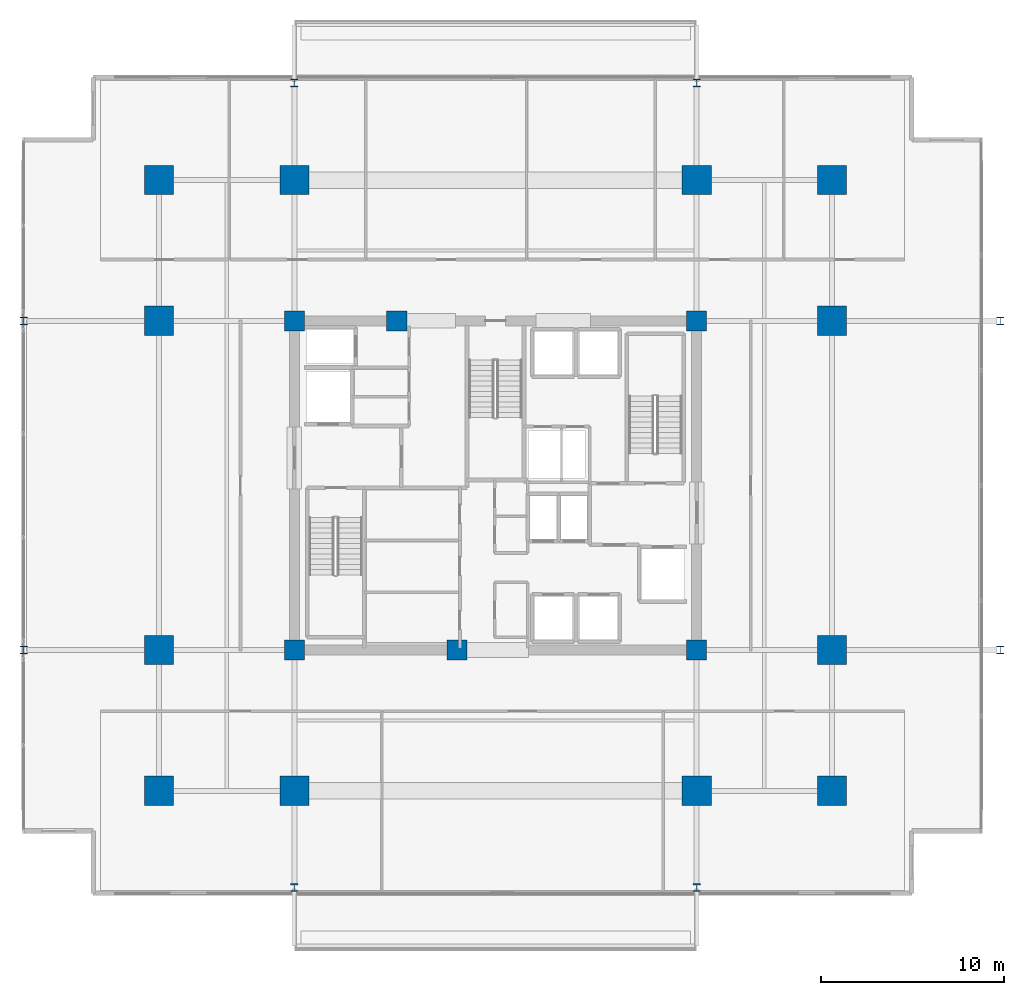
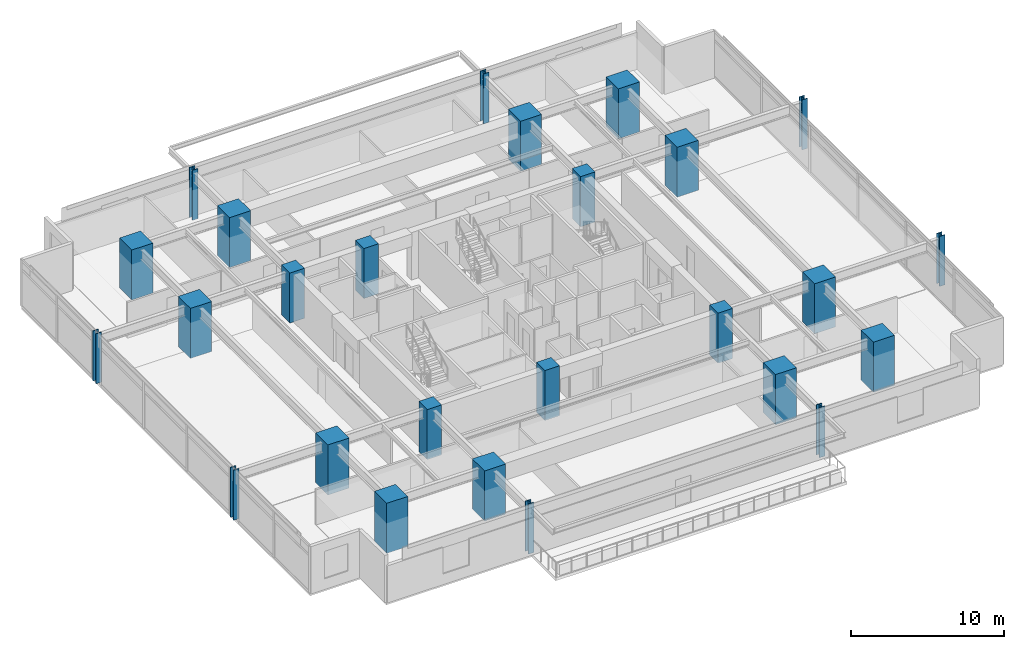
# One storey, part 1 of 23: 26 columns.
"""IFC4 building model written with IfcOpenShell, lengths in metres."""

import ifcopenshell
import ifcopenshell.guid

model = None  # the IFC model being written
_history = None  # IfcOwnerHistory: only IFC2X3 demands one
_inside = {}  # id of a spatial element -> (the spatial element, [elements in it])
_under = {}  # id of a project, library or spatial element -> (it, [spatial elements below it])
_declared = {}  # id of a project -> (the project, [libraries it declares])
_typed = {}  # id of a type object -> (the type object, [elements of that type])
_made_of = {}  # id of a material, layer set ... -> (it, [elements and type objects made of it])


def new_model(schema):
    """Start an empty IFC model of exactly this schema.

    Asked for "IFC4X3", IfcOpenShell would pick the latest addendum, in which some entities
    have other attributes; the version numbers below select the first issue.
    IFC2X3 requires an IfcOwnerHistory on every rooted entity: one is made here for all.
    """
    global model, _history
    if schema == "IFC4X3":
        model = ifcopenshell.file(schema_version=(4, 3, 0, 0))
    else:
        model = ifcopenshell.file(schema=schema)
    _inside.clear()
    _under.clear()
    _declared.clear()
    _typed.clear()
    _made_of.clear()
    _history = None
    if model.schema == "IFC2X3":
        org = make("IfcOrganization", Name="unknown")
        user = make(
            "IfcPersonAndOrganization",
            ThePerson=make("IfcPerson", FamilyName="unknown"),
            TheOrganization=org,
        )
        app = make(
            "IfcApplication",
            ApplicationDeveloper=org,
            Version="unknown",
            ApplicationFullName="unknown",
            ApplicationIdentifier="unknown",
        )
        _history = make(
            "IfcOwnerHistory",
            OwningUser=user,
            OwningApplication=app,
            ChangeAction="ADDED",
            CreationDate=0,
        )
    return model


def make(cls, **values):
    """One entity of the class cls with the attributes given. An attribute that is None is left unset."""
    return model.create_entity(
        cls, **{name: value for name, value in values.items() if value is not None}
    )


def rooted(cls, **values):
    """An entity with a GlobalId (a new one), such as an element, a storey or a relation."""
    return make(cls, GlobalId=ifcopenshell.guid.new(), OwnerHistory=_history, **values)


def si_unit(unit_type, name, prefix=None):
    """IfcSIUnit, for example si_unit("LENGTHUNIT", "METRE", prefix="MILLI")."""
    return make("IfcSIUnit", UnitType=unit_type, Prefix=prefix, Name=name)


def assignment(units):
    """IfcUnitAssignment: the units of a project."""
    return None if units is None else make("IfcUnitAssignment", Units=units)


def point(xyz):
    """IfcCartesianPoint."""
    return None if xyz is None else make("IfcCartesianPoint", Coordinates=xyz)


def direction(xyz):
    """IfcDirection."""
    return None if xyz is None else make("IfcDirection", DirectionRatios=xyz)


def frame(location, z_axis=None, x_axis=None):
    """IfcAxis2Placement3D, a coordinate frame: its origin and axes. An axis left out is left unset."""
    return make(
        "IfcAxis2Placement3D",
        Location=point(location),
        Axis=direction(z_axis),
        RefDirection=direction(x_axis),
    )


def frame_2d(location, x_axis=None):
    """IfcAxis2Placement2D, a coordinate frame in the plane: its origin and x axis."""
    return make(
        "IfcAxis2Placement2D", Location=point(location), RefDirection=direction(x_axis)
    )


def origin():
    """The frame at (0, 0, 0) with its axes left unset."""
    return frame((0.0, 0.0, 0.0))


def origin_2d():
    """The frame at (0, 0) in the plane with its x axis left unset."""
    return frame_2d((0.0, 0.0))


def place(relative_to, where):
    """IfcLocalPlacement: puts the frame where relative to a parent placement (None: the world)."""
    return make(
        "IfcLocalPlacement", PlacementRelTo=relative_to, RelativePlacement=where
    )


def context(
    kind, dimensions, precision=None, world=None, true_north=None, identifier=None
):
    """IfcGeometricRepresentationContext, for example the 3D "Model" context."""
    return make(
        "IfcGeometricRepresentationContext",
        ContextIdentifier=identifier,
        ContextType=kind,
        CoordinateSpaceDimension=dimensions,
        Precision=precision,
        WorldCoordinateSystem=world,
        TrueNorth=true_north,
    )


def subcontext(parent, identifier, kind, view, scale=None):
    """IfcGeometricRepresentationSubContext, for example "Body" below "Model"."""
    return make(
        "IfcGeometricRepresentationSubContext",
        ContextIdentifier=identifier,
        ContextType=kind,
        ParentContext=parent,
        TargetScale=scale,
        TargetView=view,
    )


def project(units=None, contexts=None):
    """IfcProject with its units and contexts."""
    return rooted(
        "IfcProject",
        Name="project",
        RepresentationContexts=contexts,
        UnitsInContext=assignment(units),
    )


def spatial(cls, under=None, at=None, **own):
    """A site, building, storey or space (cls), placed at a placement, below another one or the project."""
    s = rooted(cls, ObjectPlacement=at, **own)
    if under is not None:
        _under.setdefault(under.id(), (under, []))[1].append(s)
    return s


def profile(cls, at=None, kind="AREA", **sizes):
    """A parametric profile (cls). Its sizes go by their IFC names, for example OverallWidth=200.0."""
    return make(cls, ProfileType=kind, Position=at, **sizes)


def rectangle(**sizes):
    """IfcRectangleProfileDef."""
    return profile("IfcRectangleProfileDef", **sizes)


def i_section(**sizes):
    """IfcIShapeProfileDef."""
    return profile("IfcIShapeProfileDef", **sizes)


def extrude(swept, where, along, depth):
    """IfcExtrudedAreaSolid: the profile swept, set in the frame where, extruded along a direction by depth."""
    return make(
        "IfcExtrudedAreaSolid",
        SweptArea=swept,
        Position=where,
        ExtrudedDirection=direction(along),
        Depth=depth,
    )


def shape(context_of_items, identifier, shape_type, items):
    """IfcShapeRepresentation: the items that make up one representation, for example the "Body"."""
    return make(
        "IfcShapeRepresentation",
        ContextOfItems=context_of_items,
        RepresentationIdentifier=identifier,
        RepresentationType=shape_type,
        Items=items,
    )


def material(Name=None, Category=None):
    """IfcMaterial."""
    return make("IfcMaterial", Name=Name, Category=Category)


def material_profile(
    of_material, cross_section, Name=None, Category=None, Priority=None
):
    """IfcMaterialProfile: a cross section and its material."""
    return make(
        "IfcMaterialProfile",
        Name=Name,
        Material=of_material,
        Profile=cross_section,
        Priority=Priority,
        Category=Category,
    )


def profile_set(profiles, Name=None, composite=None):
    """IfcMaterialProfileSet."""
    return make(
        "IfcMaterialProfileSet",
        Name=Name,
        MaterialProfiles=profiles,
        CompositeProfile=composite,
    )


def made_of(thing, what):
    """Note that an element or type object is made of a material, layer set ...; save() writes the relation."""
    if what is not None:
        _made_of.setdefault(what.id(), (what, []))[1].append(thing)
    return thing


def type_object(cls, material=None, **own):
    """A type object (cls), such as IfcWallType, which elements share."""
    return made_of(rooted(cls, **own), material)


def element(
    cls,
    number,
    at=None,
    inside=None,
    cuts=None,
    type_object=None,
    material=None,
    context=None,
    identifier="Body",
    shape_type=None,
    held_by="IfcProductDefinitionShape",
    body=None,
    shapes=None,
    **own,
):
    """One element of the class cls, such as IfcWall. Its Tag is "e" and its number.

    at: its placement. inside: the storey or other place that contains it. cuts: it is an
    opening in that element (IfcRelVoidsElement). A single representation is given by context,
    identifier, shape_type and body (its items); several are given by shapes. held_by: the class
    of the entity that holds the representations. save() writes the other relations.
    """
    e = rooted(cls, Tag="e%d" % number, ObjectPlacement=at, **own)
    if body is not None:
        shapes = [shape(context, identifier, shape_type, body)]
    if shapes is not None:
        e.Representation = make(held_by, Representations=shapes)
    if inside is not None:
        _inside.setdefault(inside.id(), (inside, []))[1].append(e)
    if cuts is not None:
        rooted(
            "IfcRelVoidsElement", RelatingBuildingElement=cuts, RelatedOpeningElement=e
        )
    if type_object is not None:
        _typed.setdefault(type_object.id(), (type_object, []))[1].append(e)
    return made_of(e, material)


def aggregate(whole, parts):
    """IfcRelAggregates: a whole, such as a stair, and the parts it consists of."""
    return rooted("IfcRelAggregates", RelatingObject=whole, RelatedObjects=parts)


def save(model, path):
    """Write the relations noted so far, then the file.

    IfcRelAggregates (storeys below a building ...), IfcRelContainedInSpatialStructure (elements
    in a storey), IfcRelDefinesByType, IfcRelAssociatesMaterial and IfcRelDeclares: one each for
    every whole, place, type object, material and project.
    """
    for whole, parts in _under.values():
        aggregate(whole, parts)
    for where, things in _inside.values():
        rooted(
            "IfcRelContainedInSpatialStructure",
            RelatedElements=things,
            RelatingStructure=where,
        )
    for kind, things in _typed.values():
        rooted("IfcRelDefinesByType", RelatedObjects=things, RelatingType=kind)
    for what, things in _made_of.values():
        rooted("IfcRelAssociatesMaterial", RelatedObjects=things, RelatingMaterial=what)
    for by, libraries in _declared.values():
        rooted("IfcRelDeclares", RelatingContext=by, RelatedDefinitions=libraries)
    model.write(path)


model = new_model("IFC4")

# Units and contexts
model_context = context("Model", 3, precision=1e-05, world=origin(), true_north=direction((0.0, 1.0)))
body_context = subcontext(model_context, "Body", "Model", "MODEL_VIEW")
ifc_project = project(units=[si_unit("LENGTHUNIT", "METRE"), si_unit("AREAUNIT", "SQUARE_METRE"), si_unit("VOLUMEUNIT", "CUBIC_METRE"), si_unit("PLANEANGLEUNIT", "RADIAN"), si_unit("MASSUNIT", "GRAM", prefix="KILO")], contexts=[model_context])

# Site, building, storey
site_placement = place(None, origin())
site = spatial("IfcSite", under=ifc_project, at=site_placement, CompositionType="ELEMENT")
building_placement = place(site_placement, origin())
building = spatial("IfcBuilding", under=site, at=building_placement, Name="Kovane Verandah Tower", CompositionType="ELEMENT")
storey_placement = place(building_placement, frame((0.0, 0.0, 148.39990234375)))
storey = spatial("IfcBuildingStorey", under=building, at=storey_placement, Name="L34", CompositionType="ELEMENT", Elevation=148.39990234375)

# Columns
ifc_material_1 = material(Name="Concrete C80/95", Category="concrete")
ifc_material_profile_1 = material_profile(ifc_material_1, rectangle(XDim=1.60009765625, YDim=1.60009765625, at=origin_2d()), Name="RC1600x1600")
ifc_profile_set_1 = profile_set([ifc_material_profile_1], Name="Concrete C80/95")
column_type_1 = type_object("IfcColumnType", Name="COL-RC1600", PredefinedType="COLUMN", material=ifc_profile_set_1)
for number, where, z_axis, x_axis, name in (
    (1, (29.0, 10.800048828125, 0.0), (0.0, 0.0, 1.0), (1.0, 0.0, 0.0), "L34 Tower Mega-Column MC-S1"),
    (2, (51.0, 10.800048828125, 0.0), (0.0, 0.0, 1.0), (1.0, 0.0, 0.0), "L34 Tower Mega-Column MC-S2"),
    (3, (29.0, 44.199951171875, 0.0), (0.0, 0.0, 1.0), (1.0, 0.0, 0.0), "L34 Tower Mega-Column MC-N1"),
    (4, (51.0, 44.199951171875, 0.0), (0.0, 0.0, 1.0), (1.0, 0.0, 0.0), "L34 Tower Mega-Column MC-N2"),
    (5, (21.60009765625, 18.5, 0.0), (0.0, 0.0, 1.0), (1.0, 0.0, 0.0), "L34 Tower Mega-Column MC-W1"),
    (6, (21.60009765625, 36.5, 0.0), (0.0, 0.0, 1.0), (1.0, 0.0, 0.0), "L34 Tower Mega-Column MC-W2"),
    (7, (58.39990234375, 18.5, 0.0), (0.0, 0.0, 1.0), (1.0, 0.0, 0.0), "L34 Tower Mega-Column MC-E1"),
    (8, (58.39990234375, 36.5, 0.0), (0.0, 0.0, 1.0), (1.0, 0.0, 0.0), "L34 Tower Mega-Column MC-E2"),
    (9, (21.60009765625, 10.800048828125, 0.0), (0.0, 0.0, 1.0), (1.0, 0.0, 0.0), "L34 Tower Mega-Column MC-SW"),
    (10, (58.39990234375, 10.800048828125, 0.0), (0.0, 0.0, 1.0), (1.0, 0.0, 0.0), "L34 Tower Mega-Column MC-SE"),
    (11, (21.60009765625, 44.199951171875, 0.0), (0.0, 0.0, 1.0), (1.0, 0.0, 0.0), "L34 Tower Mega-Column MC-NW"),
    (12, (58.39990234375, 44.199951171875, 0.0), (0.0, 0.0, 1.0), (1.0, 0.0, 0.0), "L34 Tower Mega-Column MC-NE"),
):
    element("IfcColumn", number, at=place(storey_placement, frame(where, z_axis=z_axis, x_axis=x_axis)), inside=storey, type_object=column_type_1, Name=name, PredefinedType="COLUMN", context=body_context, shape_type="SweptSolid", body=[
        extrude(rectangle(XDim=1.60009765625, YDim=1.60009765625, at=origin_2d()), origin(), (0.0, 0.0, 1.0), 4.0),
    ])
ifc_material_2 = material(Name="Steel S460", Category="steel")
ifc_material_profile_2 = material_profile(ifc_material_2, i_section(OverallWidth=0.412109375, OverallDepth=0.4365234375, WebThickness=0.035888671875, FlangeThickness=0.05810546875, FilletRadius=0.01513671875, at=origin_2d()), Name="UC356x406x467")
ifc_profile_set_2 = profile_set([ifc_material_profile_2], Name="Steel S460")
column_type_2 = type_object("IfcColumnType", Name="COL-UC467", PredefinedType="COLUMN", material=ifc_profile_set_2)
for number, where, z_axis, x_axis, name in (
    (13, (14.199951171875, 18.5, 0.0), (0.0, 0.0, 1.0), (1.0, 0.0, 0.0), "L34 Verandah Perimeter Column VC-W1"),
    (14, (14.199951171875, 36.5, 0.0), (0.0, 0.0, 1.0), (1.0, 0.0, 0.0), "L34 Verandah Perimeter Column VC-W2"),
    (15, (67.60009765625, 18.5, 0.0), (0.0, 0.0, 1.0), (1.0, 0.0, 0.0), "L34 Verandah Perimeter Column VC-E1"),
    (16, (67.60009765625, 36.5, 0.0), (0.0, 0.0, 1.0), (1.0, 0.0, 0.0), "L34 Verandah Perimeter Column VC-E2"),
    (17, (29.0, 5.5, 0.0), (0.0, 0.0, 1.0), (1.0, 0.0, 0.0), "L34 Verandah Perimeter Column VC-S1"),
    (18, (51.0, 5.5, 0.0), (0.0, 0.0, 1.0), (1.0, 0.0, 0.0), "L34 Verandah Perimeter Column VC-S2"),
    (19, (29.0, 49.5, 0.0), (0.0, 0.0, 1.0), (1.0, 0.0, 0.0), "L34 Verandah Perimeter Column VC-N1"),
    (20, (51.0, 49.5, 0.0), (0.0, 0.0, 1.0), (1.0, 0.0, 0.0), "L34 Verandah Perimeter Column VC-N2"),
):
    element("IfcColumn", number, at=place(storey_placement, frame(where, z_axis=z_axis, x_axis=x_axis)), inside=storey, type_object=column_type_2, Name=name, PredefinedType="COLUMN", context=body_context, shape_type="SweptSolid", body=[
        extrude(i_section(OverallWidth=0.412109375, OverallDepth=0.4365234375, WebThickness=0.035888671875, FlangeThickness=0.05810546875, FilletRadius=0.01513671875, at=origin_2d()), origin(), (0.0, 0.0, 1.0), 4.0),
    ])
ifc_material_profile_3 = material_profile(ifc_material_1, rectangle(XDim=1.10009765625, YDim=1.10009765625, at=origin_2d()), Name="RC1100x1100")
ifc_profile_set_3 = profile_set([ifc_material_profile_3], Name="Concrete C80/95")
column_type_3 = type_object("IfcColumnType", Name="PIL-RC1100", PredefinedType="PILASTER", material=ifc_profile_set_3)
for number, where, z_axis, x_axis, name in (
    (21, (29.0, 18.5, 0.0), (0.0, 0.0, 1.0), (1.0, 0.0, 0.0), "L34 Core Pilaster CP-SW"),
    (22, (51.0, 18.5, 0.0), (0.0, 0.0, 1.0), (1.0, 0.0, 0.0), "L34 Core Pilaster CP-SE"),
    (23, (29.0, 36.5, 0.0), (0.0, 0.0, 1.0), (1.0, 0.0, 0.0), "L34 Core Pilaster CP-NW"),
    (24, (51.0, 36.5, 0.0), (0.0, 0.0, 1.0), (1.0, 0.0, 0.0), "L34 Core Pilaster CP-NE"),
    (25, (37.89990234375, 18.5, 0.0), (0.0, 0.0, 1.0), (1.0, 0.0, 0.0), "L34 Core Pilaster CP-S"),
    (26, (34.60009765625, 36.5, 0.0), (0.0, 0.0, 1.0), (1.0, 0.0, 0.0), "L34 Core Pilaster CP-N"),
):
    element("IfcColumn", number, at=place(storey_placement, frame(where, z_axis=z_axis, x_axis=x_axis)), inside=storey, type_object=column_type_3, Name=name, PredefinedType="PILASTER", context=body_context, shape_type="SweptSolid", body=[
        extrude(rectangle(XDim=1.10009765625, YDim=1.10009765625, at=origin_2d()), origin(), (0.0, 0.0, 1.0), 4.0),
    ])

save(model, "model.ifc")
